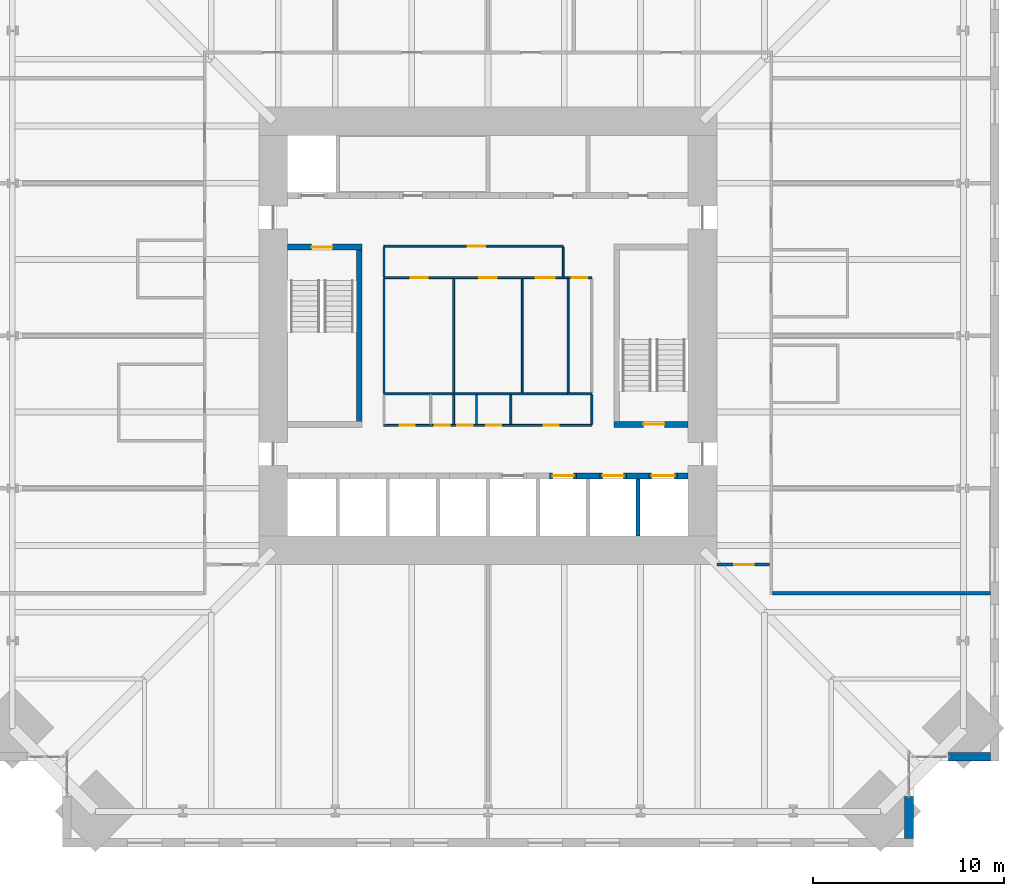
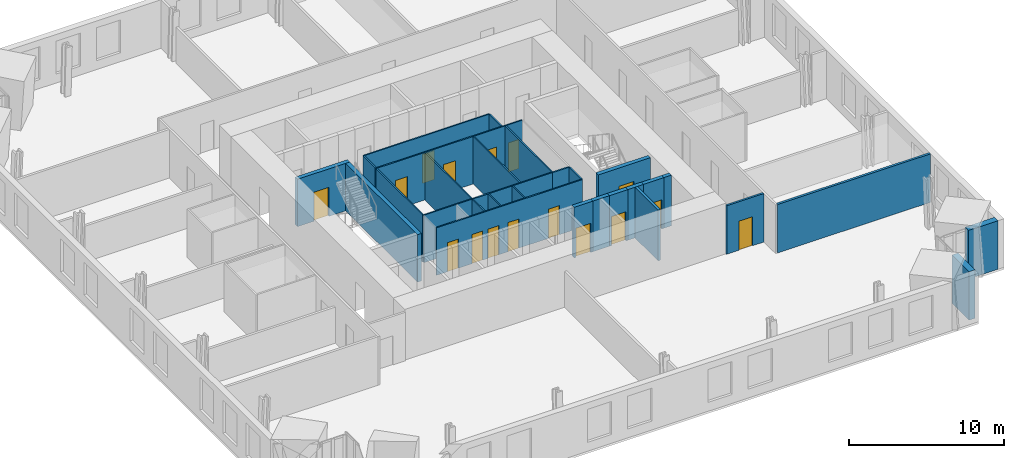
# One storey, part 13 of 17: 30 walls, 16 doors, 16 openings.
"""IFC4 building model written with IfcOpenShell, lengths in metres."""

import ifcopenshell
import ifcopenshell.guid

model = None  # the IFC model being written
_history = None  # IfcOwnerHistory: only IFC2X3 demands one
_inside = {}  # id of a spatial element -> (the spatial element, [elements in it])
_under = {}  # id of a project, library or spatial element -> (it, [spatial elements below it])
_declared = {}  # id of a project -> (the project, [libraries it declares])
_typed = {}  # id of a type object -> (the type object, [elements of that type])
_made_of = {}  # id of a material, layer set ... -> (it, [elements and type objects made of it])


def new_model(schema):
    """Start an empty IFC model of exactly this schema.

    Asked for "IFC4X3", IfcOpenShell would pick the latest addendum, in which some entities
    have other attributes; the version numbers below select the first issue.
    IFC2X3 requires an IfcOwnerHistory on every rooted entity: one is made here for all.
    """
    global model, _history
    if schema == "IFC4X3":
        model = ifcopenshell.file(schema_version=(4, 3, 0, 0))
    else:
        model = ifcopenshell.file(schema=schema)
    _inside.clear()
    _under.clear()
    _declared.clear()
    _typed.clear()
    _made_of.clear()
    _history = None
    if model.schema == "IFC2X3":
        org = make("IfcOrganization", Name="unknown")
        user = make(
            "IfcPersonAndOrganization",
            ThePerson=make("IfcPerson", FamilyName="unknown"),
            TheOrganization=org,
        )
        app = make(
            "IfcApplication",
            ApplicationDeveloper=org,
            Version="unknown",
            ApplicationFullName="unknown",
            ApplicationIdentifier="unknown",
        )
        _history = make(
            "IfcOwnerHistory",
            OwningUser=user,
            OwningApplication=app,
            ChangeAction="ADDED",
            CreationDate=0,
        )
    return model


def make(cls, **values):
    """One entity of the class cls with the attributes given. An attribute that is None is left unset."""
    return model.create_entity(
        cls, **{name: value for name, value in values.items() if value is not None}
    )


def rooted(cls, **values):
    """An entity with a GlobalId (a new one), such as an element, a storey or a relation."""
    return make(cls, GlobalId=ifcopenshell.guid.new(), OwnerHistory=_history, **values)


def si_unit(unit_type, name, prefix=None):
    """IfcSIUnit, for example si_unit("LENGTHUNIT", "METRE", prefix="MILLI")."""
    return make("IfcSIUnit", UnitType=unit_type, Prefix=prefix, Name=name)


def assignment(units):
    """IfcUnitAssignment: the units of a project."""
    return None if units is None else make("IfcUnitAssignment", Units=units)


def point(xyz):
    """IfcCartesianPoint."""
    return None if xyz is None else make("IfcCartesianPoint", Coordinates=xyz)


def direction(xyz):
    """IfcDirection."""
    return None if xyz is None else make("IfcDirection", DirectionRatios=xyz)


def frame(location, z_axis=None, x_axis=None):
    """IfcAxis2Placement3D, a coordinate frame: its origin and axes. An axis left out is left unset."""
    return make(
        "IfcAxis2Placement3D",
        Location=point(location),
        Axis=direction(z_axis),
        RefDirection=direction(x_axis),
    )


def frame_2d(location, x_axis=None):
    """IfcAxis2Placement2D, a coordinate frame in the plane: its origin and x axis."""
    return make(
        "IfcAxis2Placement2D", Location=point(location), RefDirection=direction(x_axis)
    )


def origin():
    """The frame at (0, 0, 0) with its axes left unset."""
    return frame((0.0, 0.0, 0.0))


def place(relative_to, where):
    """IfcLocalPlacement: puts the frame where relative to a parent placement (None: the world)."""
    return make(
        "IfcLocalPlacement", PlacementRelTo=relative_to, RelativePlacement=where
    )


def context(
    kind, dimensions, precision=None, world=None, true_north=None, identifier=None
):
    """IfcGeometricRepresentationContext, for example the 3D "Model" context."""
    return make(
        "IfcGeometricRepresentationContext",
        ContextIdentifier=identifier,
        ContextType=kind,
        CoordinateSpaceDimension=dimensions,
        Precision=precision,
        WorldCoordinateSystem=world,
        TrueNorth=true_north,
    )


def subcontext(parent, identifier, kind, view, scale=None):
    """IfcGeometricRepresentationSubContext, for example "Body" below "Model"."""
    return make(
        "IfcGeometricRepresentationSubContext",
        ContextIdentifier=identifier,
        ContextType=kind,
        ParentContext=parent,
        TargetScale=scale,
        TargetView=view,
    )


def project(units=None, contexts=None):
    """IfcProject with its units and contexts."""
    return rooted(
        "IfcProject",
        Name="project",
        RepresentationContexts=contexts,
        UnitsInContext=assignment(units),
    )


def spatial(cls, under=None, at=None, **own):
    """A site, building, storey or space (cls), placed at a placement, below another one or the project."""
    s = rooted(cls, ObjectPlacement=at, **own)
    if under is not None:
        _under.setdefault(under.id(), (under, []))[1].append(s)
    return s


def profile(cls, at=None, kind="AREA", **sizes):
    """A parametric profile (cls). Its sizes go by their IFC names, for example OverallWidth=200.0."""
    return make(cls, ProfileType=kind, Position=at, **sizes)


def rectangle(**sizes):
    """IfcRectangleProfileDef."""
    return profile("IfcRectangleProfileDef", **sizes)


def extrude(swept, where, along, depth):
    """IfcExtrudedAreaSolid: the profile swept, set in the frame where, extruded along a direction by depth."""
    return make(
        "IfcExtrudedAreaSolid",
        SweptArea=swept,
        Position=where,
        ExtrudedDirection=direction(along),
        Depth=depth,
    )


def shape(context_of_items, identifier, shape_type, items):
    """IfcShapeRepresentation: the items that make up one representation, for example the "Body"."""
    return make(
        "IfcShapeRepresentation",
        ContextOfItems=context_of_items,
        RepresentationIdentifier=identifier,
        RepresentationType=shape_type,
        Items=items,
    )


def material(Name=None, Category=None):
    """IfcMaterial."""
    return make("IfcMaterial", Name=Name, Category=Category)


def layer(
    of_material, thickness, ventilated=None, Name=None, Category=None, Priority=None
):
    """IfcMaterialLayer: one layer of a wall or slab, of a material (None: an air gap)."""
    return make(
        "IfcMaterialLayer",
        Material=of_material,
        LayerThickness=thickness,
        IsVentilated=ventilated,
        Name=Name,
        Category=Category,
        Priority=Priority,
    )


def layer_set(layers, Name=None):
    """IfcMaterialLayerSet."""
    return make("IfcMaterialLayerSet", MaterialLayers=layers, LayerSetName=Name)


def made_of(thing, what):
    """Note that an element or type object is made of a material, layer set ...; save() writes the relation."""
    if what is not None:
        _made_of.setdefault(what.id(), (what, []))[1].append(thing)
    return thing


def type_object(cls, material=None, **own):
    """A type object (cls), such as IfcWallType, which elements share."""
    return made_of(rooted(cls, **own), material)


def element(
    cls,
    number,
    at=None,
    inside=None,
    cuts=None,
    type_object=None,
    material=None,
    context=None,
    identifier="Body",
    shape_type=None,
    held_by="IfcProductDefinitionShape",
    body=None,
    shapes=None,
    **own,
):
    """One element of the class cls, such as IfcWall. Its Tag is "e" and its number.

    at: its placement. inside: the storey or other place that contains it. cuts: it is an
    opening in that element (IfcRelVoidsElement). A single representation is given by context,
    identifier, shape_type and body (its items); several are given by shapes. held_by: the class
    of the entity that holds the representations. save() writes the other relations.
    """
    e = rooted(cls, Tag="e%d" % number, ObjectPlacement=at, **own)
    if body is not None:
        shapes = [shape(context, identifier, shape_type, body)]
    if shapes is not None:
        e.Representation = make(held_by, Representations=shapes)
    if inside is not None:
        _inside.setdefault(inside.id(), (inside, []))[1].append(e)
    if cuts is not None:
        rooted(
            "IfcRelVoidsElement", RelatingBuildingElement=cuts, RelatedOpeningElement=e
        )
    if type_object is not None:
        _typed.setdefault(type_object.id(), (type_object, []))[1].append(e)
    return made_of(e, material)


def fill(opening, filler):
    """IfcRelFillsElement: the door or window that sits in an opening."""
    return rooted(
        "IfcRelFillsElement",
        RelatingOpeningElement=opening,
        RelatedBuildingElement=filler,
    )


def aggregate(whole, parts):
    """IfcRelAggregates: a whole, such as a stair, and the parts it consists of."""
    return rooted("IfcRelAggregates", RelatingObject=whole, RelatedObjects=parts)


def save(model, path):
    """Write the relations noted so far, then the file.

    IfcRelAggregates (storeys below a building ...), IfcRelContainedInSpatialStructure (elements
    in a storey), IfcRelDefinesByType, IfcRelAssociatesMaterial and IfcRelDeclares: one each for
    every whole, place, type object, material and project.
    """
    for whole, parts in _under.values():
        aggregate(whole, parts)
    for where, things in _inside.values():
        rooted(
            "IfcRelContainedInSpatialStructure",
            RelatedElements=things,
            RelatingStructure=where,
        )
    for kind, things in _typed.values():
        rooted("IfcRelDefinesByType", RelatedObjects=things, RelatingType=kind)
    for what, things in _made_of.values():
        rooted("IfcRelAssociatesMaterial", RelatedObjects=things, RelatingMaterial=what)
    for by, libraries in _declared.values():
        rooted("IfcRelDeclares", RelatingContext=by, RelatedDefinitions=libraries)
    model.write(path)


model = new_model("IFC4")

# Units and contexts
model_context = context("Model", 3, precision=1e-05, world=origin(), true_north=direction((0.0, 1.0)))
body_context = subcontext(model_context, "Body", "Model", "MODEL_VIEW")
ifc_project = project(units=[si_unit("LENGTHUNIT", "METRE"), si_unit("AREAUNIT", "SQUARE_METRE"), si_unit("VOLUMEUNIT", "CUBIC_METRE"), si_unit("PLANEANGLEUNIT", "RADIAN"), si_unit("MASSUNIT", "GRAM", prefix="KILO")], contexts=[model_context])

# Site, building, storey
site_placement = place(None, origin())
site = spatial("IfcSite", under=ifc_project, at=site_placement, CompositionType="ELEMENT")
building_placement = place(site_placement, origin())
building = spatial("IfcBuilding", under=site, at=building_placement, Name="Peilmerk Tower", CompositionType="ELEMENT")
storey_placement = place(building_placement, frame((0.0, 0.0, 147.800048828125)))
storey = spatial("IfcBuildingStorey", under=building, at=storey_placement, Name="L30", CompositionType="ELEMENT", Elevation=147.800048828125)

# Walls
ifc_material_1 = material(Name="Precast concrete C45/55, board-marked finish", Category="concrete")
ifc_layer_1 = layer(ifc_material_1, 0.449951171875)
ifc_layer_set_1 = layer_set([ifc_layer_1], Name="Precast concrete C45/55, board-marked finish")
wall_type_1 = type_object("IfcWallType", Name="EW1 450 precast concrete facade wall, board-marked", PredefinedType="SOLIDWALL", material=ifc_layer_set_1)
for number, where, z_axis, x_axis, name in (
    (1, (22.074951171875, -24.153564453125, 0.0), (0.0, 0.0, 1.0), (0.0, -1.0, 0.0), "Facade wall SEA L30"),
    (2, (24.153564453125, -22.074951171875, 0.0), (0.0, 0.0, 1.0), (1.0, 0.0, 0.0), "Facade wall SEB L30"),
):
    element("IfcWall", number, at=place(storey_placement, frame(where, z_axis=z_axis, x_axis=x_axis)), inside=storey, type_object=wall_type_1, Name=name, PredefinedType="SOLIDWALL", context=body_context, shape_type="SweptSolid", body=[
        extrude(rectangle(XDim=2.196533203125, YDim=0.449951171875, at=frame_2d((1.09814453125, 0.0))), origin(), (0.0, 0.0, 1.0), 3.829833984375),
    ])

# Wall, opening, door
ifc_material_2 = material(Name="Calcium silicate block", Category="masonry")
ifc_layer_2 = layer(ifc_material_2, 0.14990234375)
ifc_layer_set_2 = layer_set([ifc_layer_2], Name="Calcium silicate block")
wall_type_2 = type_object("IfcWallType", Name="IW1 150 corridor partition, EI 60", PredefinedType="PARTITIONING", material=ifc_layer_set_2)
wall_1_placement = place(storey_placement, frame((14.77490234375, -12.0, 0.0), z_axis=(0.0, 0.0, 1.0), x_axis=(-1.0, 0.0, 0.0)))
wall_1 = element("IfcWall", 3, at=wall_1_placement, inside=storey, type_object=wall_type_2, Name="Corridor wall SE L30", PredefinedType="PARTITIONING", context=body_context, shape_type="SweptSolid", body=[
    extrude(rectangle(XDim=2.77490234375, YDim=0.14990234375, at=frame_2d((1.387451171875, 0.0))), origin(), (0.0, 0.0, 1.0), 3.829833984375),
])
opening_1_placement = place(wall_1_placement, frame((0.85009765625, 0.0, 0.0)))
opening_1 = element("IfcOpeningElement", 4, at=opening_1_placement, cuts=wall_1, Name="Opening D1", PredefinedType="OPENING", context=body_context, shape_type="SweptSolid", body=[
    extrude(rectangle(XDim=1.0, YDim=2.300048828125, at=frame_2d((0.5, 1.14990234375))), frame((0.0, 0.0849609375, 0.0), z_axis=(0.0, -1.0, 0.0), x_axis=(1.0, 0.0, 0.0)), (0.0, 0.0, 1.0), 0.169921875),
])
ifc_material_3 = material(Name="Timber door in steel frame", Category="steel")
door_type_1 = type_object("IfcDoorType", Name="D1 1000x2300 room door, EI2 30", OperationType="SINGLE_SWING_LEFT", PredefinedType="DOOR", material=ifc_material_3)
door_1_placement = place(opening_1_placement, origin())
door_1 = element("IfcDoor", 5, at=door_1_placement, inside=storey, type_object=door_type_1, Name="Door Team workspace L30", OperationType="SINGLE_SWING_LEFT", OverallHeight=2.300048828125, OverallWidth=1.0, PredefinedType="DOOR", context=body_context, shape_type="SweptSolid", body=[
    extrude(rectangle(XDim=1.0, YDim=2.300048828125, at=frame_2d((0.5, 1.14990234375))), frame((0.0, 0.02490234375, 0.0), z_axis=(0.0, -1.0, 0.0), x_axis=(1.0, 0.0, 0.0)), (0.0, 0.0, 1.0), 0.050048828125),
])
fill(opening_1, door_1)

# Wall
ifc_material_4 = material(Name="Concrete C35/45", Category="concrete")
ifc_layer_3 = layer(ifc_material_4, 0.300048828125)
ifc_layer_set_3 = layer_set([ifc_layer_3], Name="Concrete C35/45")
wall_type_3 = type_object("IfcWallType", Name="IW3 300 concrete stair enclosure wall, EI 120", PredefinedType="SOLIDWALL", material=ifc_layer_set_3)
wall_2_placement = place(storey_placement, frame((-6.75, -4.800048828125, 0.0), z_axis=(0.0, 0.0, 1.0), x_axis=(0.0, 1.0, 0.0)))
element("IfcWall", 6, at=wall_2_placement, inside=storey, type_object=wall_type_3, Name="Stair 1 enclosure L30", PredefinedType="SOLIDWALL", context=body_context, shape_type="SweptSolid", body=[
    extrude(rectangle(XDim=9.60009765625, YDim=0.300048828125, at=frame_2d((4.800048828125, 0.0))), origin(), (0.0, 0.0, 1.0), 3.75),
])

# Wall, opening, door
wall_3_placement = place(storey_placement, frame((-10.5, 4.64990234375, 0.0), z_axis=(0.0, 0.0, 1.0), x_axis=(1.0, 0.0, 0.0)))
wall_3 = element("IfcWall", 7, at=wall_3_placement, inside=storey, type_object=wall_type_3, Name="Stair 1 enclosure L30", PredefinedType="SOLIDWALL", context=body_context, shape_type="SweptSolid", body=[
    extrude(rectangle(XDim=3.89990234375, YDim=0.300048828125, at=frame_2d((1.949951171875, 0.0))), origin(), (0.0, 0.0, 1.0), 3.75),
])
opening_2_placement = place(wall_3_placement, frame((1.25, 0.0, 0.0)))
opening_2 = element("IfcOpeningElement", 8, at=opening_2_placement, cuts=wall_3, Name="Opening D4", PredefinedType="OPENING", context=body_context, shape_type="SweptSolid", body=[
    extrude(rectangle(XDim=1.10009765625, YDim=2.300048828125, at=frame_2d((0.550048828125, 1.14990234375))), frame((0.0, 0.159912109375, 0.0), z_axis=(0.0, -1.0, 0.0), x_axis=(1.0, 0.0, 0.0)), (0.0, 0.0, 1.0), 0.320068359375),
])
ifc_material_5 = material(Name="Steel door in steel frame", Category="steel")
door_type_2 = type_object("IfcDoorType", Name="D4 1100x2300 stair door, EI2 60", OperationType="SINGLE_SWING_RIGHT", PredefinedType="DOOR", material=ifc_material_5)
door_2_placement = place(opening_2_placement, frame((1.10009765625, 0.0, 0.0), z_axis=(0.0, 0.0, 1.0), x_axis=(-1.0, 0.0, 0.0)))
door_2 = element("IfcDoor", 9, at=door_2_placement, inside=storey, type_object=door_type_2, Name="Stair 1 door L30", OperationType="SINGLE_SWING_RIGHT", OverallHeight=2.300048828125, OverallWidth=1.10009765625, PredefinedType="DOOR", context=body_context, shape_type="SweptSolid", body=[
    extrude(rectangle(XDim=1.10009765625, YDim=2.300048828125, at=frame_2d((0.550048828125, 1.14990234375))), frame((0.0, 0.02490234375, 0.0), z_axis=(0.0, -1.0, 0.0), x_axis=(1.0, 0.0, 0.0)), (0.0, 0.0, 1.0), 0.050048828125),
])
fill(opening_2, door_2)

wall_4_placement = place(storey_placement, frame((10.5, -4.64990234375, 0.0), z_axis=(0.0, 0.0, 1.0), x_axis=(-1.0, 0.0, 0.0)))
wall_4 = element("IfcWall", 10, at=wall_4_placement, inside=storey, type_object=wall_type_3, Name="Stair 2 enclosure L30", PredefinedType="SOLIDWALL", context=body_context, shape_type="SweptSolid", body=[
    extrude(rectangle(XDim=3.89990234375, YDim=0.300048828125, at=frame_2d((1.949951171875, 0.0))), origin(), (0.0, 0.0, 1.0), 3.75),
])
opening_3_placement = place(wall_4_placement, frame((1.25, 0.0, 0.0)))
opening_3 = element("IfcOpeningElement", 11, at=opening_3_placement, cuts=wall_4, Name="Opening D4", PredefinedType="OPENING", context=body_context, shape_type="SweptSolid", body=[
    extrude(rectangle(XDim=1.10009765625, YDim=2.300048828125, at=frame_2d((0.550048828125, 1.14990234375))), frame((0.0, 0.159912109375, 0.0), z_axis=(0.0, -1.0, 0.0), x_axis=(1.0, 0.0, 0.0)), (0.0, 0.0, 1.0), 0.320068359375),
])
door_3_placement = place(opening_3_placement, frame((1.10009765625, 0.0, 0.0), z_axis=(0.0, 0.0, 1.0), x_axis=(-1.0, 0.0, 0.0)))
door_3 = element("IfcDoor", 12, at=door_3_placement, inside=storey, type_object=door_type_2, Name="Stair 2 door L30", OperationType="SINGLE_SWING_RIGHT", OverallHeight=2.300048828125, OverallWidth=1.10009765625, PredefinedType="DOOR", context=body_context, shape_type="SweptSolid", body=[
    extrude(rectangle(XDim=1.10009765625, YDim=2.300048828125, at=frame_2d((0.550048828125, 1.14990234375))), frame((0.0, 0.02490234375, 0.0), z_axis=(0.0, -1.0, 0.0), x_axis=(1.0, 0.0, 0.0)), (0.0, 0.0, 1.0), 0.050048828125),
])
fill(opening_3, door_3)

# Wall, openings, doors
ifc_material_6 = material(Name="Plasterboard on steel studs", Category="steel")
ifc_layer_4 = layer(ifc_material_6, 0.10009765625)
ifc_layer_set_4 = layer_set([ifc_layer_4], Name="Plasterboard on steel studs")
wall_type_4 = type_object("IfcWallType", Name="IW4 100 WC partition", PredefinedType="PARTITIONING", material=ifc_layer_set_4)
wall_5_placement = place(storey_placement, frame((-5.449951171875, 3.050048828125, 0.0), z_axis=(0.0, 0.0, 1.0), x_axis=(1.0, 0.0, 0.0)))
wall_5 = element("IfcWall", 13, at=wall_5_placement, inside=storey, type_object=wall_type_4, Name="WC wall L30", PredefinedType="PARTITIONING", context=body_context, shape_type="SweptSolid", body=[
    extrude(rectangle(XDim=9.599853515625, YDim=0.10009765625, at=frame_2d((4.7998046875, 0.0))), origin(), (0.0, 0.0, 1.0), 3.75),
])
opening_4_placement = place(wall_5_placement, frame((1.39990234375, 0.0, 0.0)))
opening_4 = element("IfcOpeningElement", 14, at=opening_4_placement, cuts=wall_5, Name="Opening D5", PredefinedType="OPENING", context=body_context, shape_type="SweptSolid", body=[
    extrude(rectangle(XDim=0.89990234375, YDim=2.300048828125, at=frame_2d((0.449951171875, 1.14990234375))), frame((0.0, 0.06005859375, 0.0), z_axis=(0.0, -1.0, 0.0), x_axis=(1.0, 0.0, 0.0)), (0.0, 0.0, 1.0), 0.1201171875),
])
opening_5_placement = place(wall_5_placement, frame((5.0, 0.0, 0.0)))
opening_5 = element("IfcOpeningElement", 15, at=opening_5_placement, cuts=wall_5, Name="Opening D5", PredefinedType="OPENING", context=body_context, shape_type="SweptSolid", body=[
    extrude(rectangle(XDim=0.89990234375, YDim=2.300048828125, at=frame_2d((0.449951171875, 1.14990234375))), frame((0.0, 0.06005859375, 0.0), z_axis=(0.0, -1.0, 0.0), x_axis=(1.0, 0.0, 0.0)), (0.0, 0.0, 1.0), 0.1201171875),
])
opening_6_placement = place(wall_5_placement, frame((7.949951171875, 0.0, 0.0)))
opening_6 = element("IfcOpeningElement", 16, at=opening_6_placement, cuts=wall_5, Name="Opening D6", PredefinedType="OPENING", context=body_context, shape_type="SweptSolid", body=[
    extrude(rectangle(XDim=1.0, YDim=2.300048828125, at=frame_2d((0.5, 1.14990234375))), frame((0.0, 0.06005859375, 0.0), z_axis=(0.0, -1.0, 0.0), x_axis=(1.0, 0.0, 0.0)), (0.0, 0.0, 1.0), 0.1201171875),
])
door_type_3 = type_object("IfcDoorType", Name="D5 900x2300 WC door", OperationType="SINGLE_SWING_LEFT", PredefinedType="DOOR", material=ifc_material_3)
door_4_placement = place(opening_4_placement, frame((0.89990234375, 0.0, 0.0), z_axis=(0.0, 0.0, 1.0), x_axis=(-1.0, 0.0, 0.0)))
door_4 = element("IfcDoor", 17, at=door_4_placement, inside=storey, type_object=door_type_3, Name="Male toilets door L30", OperationType="SINGLE_SWING_LEFT", OverallHeight=2.300048828125, OverallWidth=0.89990234375, PredefinedType="DOOR", context=body_context, shape_type="SweptSolid", body=[
    extrude(rectangle(XDim=0.89990234375, YDim=2.300048828125, at=frame_2d((0.449951171875, 1.14990234375))), frame((0.0, 0.02490234375, 0.0), z_axis=(0.0, -1.0, 0.0), x_axis=(1.0, 0.0, 0.0)), (0.0, 0.0, 1.0), 0.050048828125),
])
fill(opening_4, door_4)
door_5_placement = place(opening_5_placement, frame((0.89990234375, 0.0, 0.0), z_axis=(0.0, 0.0, 1.0), x_axis=(-1.0, 0.0, 0.0)))
door_5 = element("IfcDoor", 18, at=door_5_placement, inside=storey, type_object=door_type_3, Name="Female toilets door L30", OperationType="SINGLE_SWING_LEFT", OverallHeight=2.300048828125, OverallWidth=0.89990234375, PredefinedType="DOOR", context=body_context, shape_type="SweptSolid", body=[
    extrude(rectangle(XDim=0.89990234375, YDim=2.300048828125, at=frame_2d((0.449951171875, 1.14990234375))), frame((0.0, 0.02490234375, 0.0), z_axis=(0.0, -1.0, 0.0), x_axis=(1.0, 0.0, 0.0)), (0.0, 0.0, 1.0), 0.050048828125),
])
fill(opening_5, door_5)
door_type_4 = type_object("IfcDoorType", Name="D6 1000x2300 accessible WC door", OperationType="SLIDING_TO_LEFT", PredefinedType="DOOR", material=ifc_material_3)
door_6_placement = place(opening_6_placement, frame((1.0, 0.0, 0.0), z_axis=(0.0, 0.0, 1.0), x_axis=(-1.0, 0.0, 0.0)))
door_6 = element("IfcDoor", 19, at=door_6_placement, inside=storey, type_object=door_type_4, Name="Accessible WC door L30", OperationType="SLIDING_TO_LEFT", OverallHeight=2.300048828125, OverallWidth=1.0, PredefinedType="DOOR", context=body_context, shape_type="SweptSolid", body=[
    extrude(rectangle(XDim=1.0, YDim=2.300048828125, at=frame_2d((0.5, 1.14990234375))), frame((0.0, 0.02490234375, 0.0), z_axis=(0.0, -1.0, 0.0), x_axis=(1.0, 0.0, 0.0)), (0.0, 0.0, 1.0), 0.050048828125),
])
fill(opening_6, door_6)

# Walls
wall_6_placement = place(storey_placement, frame((4.14990234375, -3.050048828125, 0.0), z_axis=(0.0, 0.0, 1.0), x_axis=(-1.0, 0.0, 0.0)))
element("IfcWall", 20, at=wall_6_placement, inside=storey, type_object=wall_type_4, Name="WC wall L30", PredefinedType="PARTITIONING", context=body_context, shape_type="SweptSolid", body=[
    extrude(rectangle(XDim=9.599853515625, YDim=0.10009765625, at=frame_2d((4.7998046875, 0.0))), origin(), (0.0, 0.0, 1.0), 3.75),
])
for number, where, z_axis, x_axis, name in (
    (21, (-5.449951171875, -3.0, 0.0), (0.0, 0.0, 1.0), (0.0, 1.0, 0.0), "WC wall L30"),
    (22, (-1.800048828125, -3.0, 0.0), (0.0, 0.0, 1.0), (0.0, 1.0, 0.0), "WC wall L30"),
    (23, (1.800048828125, -3.0, 0.0), (0.0, 0.0, 1.0), (0.0, 1.0, 0.0), "WC wall L30"),
):
    element("IfcWall", number, at=place(storey_placement, frame(where, z_axis=z_axis, x_axis=x_axis)), inside=storey, type_object=wall_type_4, Name=name, PredefinedType="PARTITIONING", context=body_context, shape_type="SweptSolid", body=[
        extrude(rectangle(XDim=6.0, YDim=0.10009765625, at=frame_2d((3.0, 0.0))), origin(), (0.0, 0.0, 1.0), 3.75),
    ])

# Wall, opening, door
ifc_material_7 = material(Name="Calcium silicate board on steel studs", Category="steel")
ifc_layer_5 = layer(ifc_material_7, 0.10009765625)
ifc_layer_set_5 = layer_set([ifc_layer_5], Name="Calcium silicate board on steel studs")
wall_type_5 = type_object("IfcWallType", Name="IW5 100 riser enclosure wall, EI 60", PredefinedType="PARTITIONING", material=ifc_layer_set_5)
wall_7_placement = place(storey_placement, frame((4.14990234375, 3.050048828125, 0.0), z_axis=(0.0, 0.0, 1.0), x_axis=(1.0, 0.0, 0.0)))
wall_7 = element("IfcWall", 24, at=wall_7_placement, inside=storey, type_object=wall_type_5, Name="Riser wall L30", PredefinedType="PARTITIONING", context=body_context, shape_type="SweptSolid", body=[
    extrude(rectangle(XDim=1.300048828125, YDim=0.10009765625, at=frame_2d((0.64990234375, 0.0))), origin(), (0.0, 0.0, 1.0), 3.75),
])
opening_7_placement = place(wall_7_placement, frame((0.25, 0.0, 0.0)))
opening_7 = element("IfcOpeningElement", 25, at=opening_7_placement, cuts=wall_7, Name="Opening D7", PredefinedType="OPENING", context=body_context, shape_type="SweptSolid", body=[
    extrude(rectangle(XDim=0.800048828125, YDim=2.300048828125, at=frame_2d((0.39990234375, 1.14990234375))), frame((0.0, 0.06005859375, 0.0), z_axis=(0.0, -1.0, 0.0), x_axis=(1.0, 0.0, 0.0)), (0.0, 0.0, 1.0), 0.1201171875),
])
door_type_5 = type_object("IfcDoorType", Name="D7 800x2300 riser access door, EI2 60", OperationType="SINGLE_SWING_RIGHT", PredefinedType="DOOR", material=ifc_material_5)
door_7_placement = place(opening_7_placement, frame((0.800048828125, 0.0, 0.0), z_axis=(0.0, 0.0, 1.0), x_axis=(-1.0, 0.0, 0.0)))
door_7 = element("IfcDoor", 26, at=door_7_placement, inside=storey, type_object=door_type_5, Name="Plumbing riser door L30", OperationType="SINGLE_SWING_RIGHT", OverallHeight=2.300048828125, OverallWidth=0.800048828125, PredefinedType="DOOR", context=body_context, shape_type="SweptSolid", body=[
    extrude(rectangle(XDim=0.800048828125, YDim=2.300048828125, at=frame_2d((0.39990234375, 1.14990234375))), frame((0.0, 0.02490234375, 0.0), z_axis=(0.0, -1.0, 0.0), x_axis=(1.0, 0.0, 0.0)), (0.0, 0.0, 1.0), 0.050048828125),
])
fill(opening_7, door_7)

# Walls
wall_8_placement = place(storey_placement, frame((5.449951171875, -3.050048828125, 0.0), z_axis=(0.0, 0.0, 1.0), x_axis=(-1.0, 0.0, 0.0)))
element("IfcWall", 27, at=wall_8_placement, inside=storey, type_object=wall_type_5, Name="Riser wall L30", PredefinedType="PARTITIONING", context=body_context, shape_type="SweptSolid", body=[
    extrude(rectangle(XDim=1.300048828125, YDim=0.10009765625, at=frame_2d((0.64990234375, 0.0))), origin(), (0.0, 0.0, 1.0), 3.75),
])
wall_9_placement = place(storey_placement, frame((4.199951171875, -3.0, 0.0), z_axis=(0.0, 0.0, 1.0), x_axis=(0.0, 1.0, 0.0)))
element("IfcWall", 28, at=wall_9_placement, inside=storey, type_object=wall_type_5, Name="Riser wall L30", PredefinedType="PARTITIONING", context=body_context, shape_type="SweptSolid", body=[
    extrude(rectangle(XDim=6.0, YDim=0.10009765625, at=frame_2d((3.0, 0.0))), origin(), (0.0, 0.0, 1.0), 3.75),
])

# Wall, openings, doors
wall_10_placement = place(storey_placement, frame((5.449951171875, -4.699951171875, 0.0), z_axis=(0.0, 0.0, 1.0), x_axis=(-1.0, 0.0, 0.0)))
wall_10 = element("IfcWall", 29, at=wall_10_placement, inside=storey, type_object=wall_type_5, Name="Riser wall L30", PredefinedType="PARTITIONING", context=body_context, shape_type="SweptSolid", body=[
    extrude(rectangle(XDim=10.89990234375, YDim=0.10009765625, at=frame_2d((5.449951171875, 0.0))), origin(), (0.0, 0.0, 1.0), 3.75),
])
opening_8_placement = place(wall_10_placement, frame((9.27490234375, 0.0, 0.0)))
opening_8 = element("IfcOpeningElement", 30, at=opening_8_placement, cuts=wall_10, Name="Opening D7", PredefinedType="OPENING", context=body_context, shape_type="SweptSolid", body=[
    extrude(rectangle(XDim=0.800048828125, YDim=2.300048828125, at=frame_2d((0.39990234375, 1.14990234375))), frame((0.0, 0.06005859375, 0.0), z_axis=(0.0, -1.0, 0.0), x_axis=(1.0, 0.0, 0.0)), (0.0, 0.0, 1.0), 0.1201171875),
])
opening_9_placement = place(wall_10_placement, frame((7.449951171875, 0.0, 0.0)))
opening_9 = element("IfcOpeningElement", 31, at=opening_9_placement, cuts=wall_10, Name="Opening D7", PredefinedType="OPENING", context=body_context, shape_type="SweptSolid", body=[
    extrude(rectangle(XDim=0.800048828125, YDim=2.300048828125, at=frame_2d((0.39990234375, 1.14990234375))), frame((0.0, 0.06005859375, 0.0), z_axis=(0.0, -1.0, 0.0), x_axis=(1.0, 0.0, 0.0)), (0.0, 0.0, 1.0), 0.1201171875),
])
opening_10_placement = place(wall_10_placement, frame((6.25, 0.0, 0.0)))
opening_10 = element("IfcOpeningElement", 32, at=opening_10_placement, cuts=wall_10, Name="Opening D7", PredefinedType="OPENING", context=body_context, shape_type="SweptSolid", body=[
    extrude(rectangle(XDim=0.800048828125, YDim=2.300048828125, at=frame_2d((0.39990234375, 1.14990234375))), frame((0.0, 0.06005859375, 0.0), z_axis=(0.0, -1.0, 0.0), x_axis=(1.0, 0.0, 0.0)), (0.0, 0.0, 1.0), 0.1201171875),
])
opening_11_placement = place(wall_10_placement, frame((4.75, 0.0, 0.0)))
opening_11 = element("IfcOpeningElement", 33, at=opening_11_placement, cuts=wall_10, Name="Opening D7", PredefinedType="OPENING", context=body_context, shape_type="SweptSolid", body=[
    extrude(rectangle(XDim=0.800048828125, YDim=2.300048828125, at=frame_2d((0.39990234375, 1.14990234375))), frame((0.0, 0.06005859375, 0.0), z_axis=(0.0, -1.0, 0.0), x_axis=(1.0, 0.0, 0.0)), (0.0, 0.0, 1.0), 0.1201171875),
])
opening_12_placement = place(wall_10_placement, frame((1.72509765625, 0.0, 0.0)))
opening_12 = element("IfcOpeningElement", 34, at=opening_12_placement, cuts=wall_10, Name="Opening D7", PredefinedType="OPENING", context=body_context, shape_type="SweptSolid", body=[
    extrude(rectangle(XDim=0.800048828125, YDim=2.300048828125, at=frame_2d((0.39990234375, 1.14990234375))), frame((0.0, 0.06005859375, 0.0), z_axis=(0.0, -1.0, 0.0), x_axis=(1.0, 0.0, 0.0)), (0.0, 0.0, 1.0), 0.1201171875),
])
door_8_placement = place(opening_8_placement, frame((0.800048828125, 0.0, 0.0), z_axis=(0.0, 0.0, 1.0), x_axis=(-1.0, 0.0, 0.0)))
door_8 = element("IfcDoor", 35, at=door_8_placement, inside=storey, type_object=door_type_5, Name="Electrical room door L30", OperationType="SINGLE_SWING_RIGHT", OverallHeight=2.300048828125, OverallWidth=0.800048828125, PredefinedType="DOOR", context=body_context, shape_type="SweptSolid", body=[
    extrude(rectangle(XDim=0.800048828125, YDim=2.300048828125, at=frame_2d((0.39990234375, 1.14990234375))), frame((0.0, 0.02490234375, 0.0), z_axis=(0.0, -1.0, 0.0), x_axis=(1.0, 0.0, 0.0)), (0.0, 0.0, 1.0), 0.050048828125),
])
fill(opening_8, door_8)
door_9_placement = place(opening_9_placement, frame((0.800048828125, 0.0, 0.0), z_axis=(0.0, 0.0, 1.0), x_axis=(-1.0, 0.0, 0.0)))
door_9 = element("IfcDoor", 36, at=door_9_placement, inside=storey, type_object=door_type_5, Name="Electrical riser door L30", OperationType="SINGLE_SWING_RIGHT", OverallHeight=2.300048828125, OverallWidth=0.800048828125, PredefinedType="DOOR", context=body_context, shape_type="SweptSolid", body=[
    extrude(rectangle(XDim=0.800048828125, YDim=2.300048828125, at=frame_2d((0.39990234375, 1.14990234375))), frame((0.0, 0.02490234375, 0.0), z_axis=(0.0, -1.0, 0.0), x_axis=(1.0, 0.0, 0.0)), (0.0, 0.0, 1.0), 0.050048828125),
])
fill(opening_9, door_9)
door_10_placement = place(opening_10_placement, frame((0.800048828125, 0.0, 0.0), z_axis=(0.0, 0.0, 1.0), x_axis=(-1.0, 0.0, 0.0)))
door_10 = element("IfcDoor", 37, at=door_10_placement, inside=storey, type_object=door_type_5, Name="Data riser door L30", OperationType="SINGLE_SWING_RIGHT", OverallHeight=2.300048828125, OverallWidth=0.800048828125, PredefinedType="DOOR", context=body_context, shape_type="SweptSolid", body=[
    extrude(rectangle(XDim=0.800048828125, YDim=2.300048828125, at=frame_2d((0.39990234375, 1.14990234375))), frame((0.0, 0.02490234375, 0.0), z_axis=(0.0, -1.0, 0.0), x_axis=(1.0, 0.0, 0.0)), (0.0, 0.0, 1.0), 0.050048828125),
])
fill(opening_10, door_10)
door_11_placement = place(opening_11_placement, frame((0.800048828125, 0.0, 0.0), z_axis=(0.0, 0.0, 1.0), x_axis=(-1.0, 0.0, 0.0)))
door_11 = element("IfcDoor", 38, at=door_11_placement, inside=storey, type_object=door_type_5, Name="Cleaner's cupboard door L30", OperationType="SINGLE_SWING_RIGHT", OverallHeight=2.300048828125, OverallWidth=0.800048828125, PredefinedType="DOOR", context=body_context, shape_type="SweptSolid", body=[
    extrude(rectangle(XDim=0.800048828125, YDim=2.300048828125, at=frame_2d((0.39990234375, 1.14990234375))), frame((0.0, 0.02490234375, 0.0), z_axis=(0.0, -1.0, 0.0), x_axis=(1.0, 0.0, 0.0)), (0.0, 0.0, 1.0), 0.050048828125),
])
fill(opening_11, door_11)
door_12_placement = place(opening_12_placement, frame((0.800048828125, 0.0, 0.0), z_axis=(0.0, 0.0, 1.0), x_axis=(-1.0, 0.0, 0.0)))
door_12 = element("IfcDoor", 39, at=door_12_placement, inside=storey, type_object=door_type_5, Name="Comms room door L30", OperationType="SINGLE_SWING_RIGHT", OverallHeight=2.300048828125, OverallWidth=0.800048828125, PredefinedType="DOOR", context=body_context, shape_type="SweptSolid", body=[
    extrude(rectangle(XDim=0.800048828125, YDim=2.300048828125, at=frame_2d((0.39990234375, 1.14990234375))), frame((0.0, 0.02490234375, 0.0), z_axis=(0.0, -1.0, 0.0), x_axis=(1.0, 0.0, 0.0)), (0.0, 0.0, 1.0), 0.050048828125),
])
fill(opening_12, door_12)

# Walls
for number, where, z_axis, x_axis, name in (
    (40, (5.449951171875, -3.10009765625, 0.0), (0.0, 0.0, 1.0), (0.0, -1.0, 0.0), "Riser wall L30"),
    (41, (-1.800048828125, -3.10009765625, 0.0), (0.0, 0.0, 1.0), (0.0, -1.0, 0.0), "Riser wall L30"),
    (42, (-0.60009765625, -3.10009765625, 0.0), (0.0, 0.0, 1.0), (0.0, -1.0, 0.0), "Riser wall L30"),
    (43, (1.199951171875, -3.10009765625, 0.0), (0.0, 0.0, 1.0), (0.0, -1.0, 0.0), "Riser wall L30"),
):
    element("IfcWall", number, at=place(storey_placement, frame(where, z_axis=z_axis, x_axis=x_axis)), inside=storey, type_object=wall_type_5, Name=name, PredefinedType="PARTITIONING", context=body_context, shape_type="SweptSolid", body=[
        extrude(rectangle(XDim=1.5498046875, YDim=0.10009765625, at=frame_2d((0.77490234375, 0.0))), origin(), (0.0, 0.0, 1.0), 3.75),
    ])
ifc_layer_6 = layer(ifc_material_2, 0.175048828125)
ifc_layer_set_6 = layer_set([ifc_layer_6], Name="Calcium silicate block")
wall_type_6 = type_object("IfcWallType", Name="IW8 175 tenant separating wall, EI 60", PredefinedType="PARTITIONING", material=ifc_layer_set_6)
wall_11_placement = place(storey_placement, frame((26.35009765625, -13.5, 0.0), z_axis=(0.0, 0.0, 1.0), x_axis=(-1.0, 0.0, 0.0)))
element("IfcWall", 44, at=wall_11_placement, inside=storey, type_object=wall_type_6, Name="Tenant separating wall SE L30", PredefinedType="PARTITIONING", context=body_context, shape_type="SweptSolid", body=[
    extrude(rectangle(XDim=11.425048828125, YDim=0.175048828125, at=frame_2d((5.71240234375, 0.0))), origin(), (0.0, 0.0, 1.0), 3.829833984375),
])

# Wall, opening, door
ifc_material_8 = material(Name="Fire-resisting plasterboard on steel studs", Category="steel")
ifc_layer_7 = layer(ifc_material_8, 0.10009765625)
ifc_layer_set_7 = layer_set([ifc_layer_7], Name="Fire-resisting plasterboard on steel studs")
wall_type_7 = type_object("IfcWallType", Name="IW9 100 WC lobby wall, EI 30", PredefinedType="PARTITIONING", material=ifc_layer_set_7)
wall_12_placement = place(storey_placement, frame((-5.449951171875, 4.699951171875, 0.0), z_axis=(0.0, 0.0, 1.0), x_axis=(1.0, 0.0, 0.0)))
wall_12 = element("IfcWall", 45, at=wall_12_placement, inside=storey, type_object=wall_type_7, Name="WC lobby wall L30", PredefinedType="PARTITIONING", context=body_context, shape_type="SweptSolid", body=[
    extrude(rectangle(XDim=9.39990234375, YDim=0.10009765625, at=frame_2d((4.699951171875, 0.0))), origin(), (0.0, 0.0, 1.0), 3.75),
])
opening_13_placement = place(wall_12_placement, frame((4.39990234375, 0.0, 0.0)))
opening_13 = element("IfcOpeningElement", 46, at=opening_13_placement, cuts=wall_12, Name="Opening D11", PredefinedType="OPENING", context=body_context, shape_type="SweptSolid", body=[
    extrude(rectangle(XDim=0.89990234375, YDim=2.300048828125, at=frame_2d((0.449951171875, 1.14990234375))), frame((0.0, 0.06005859375, 0.0), z_axis=(0.0, -1.0, 0.0), x_axis=(1.0, 0.0, 0.0)), (0.0, 0.0, 1.0), 0.1201171875),
])
door_type_6 = type_object("IfcDoorType", Name="D11 900x2300 WC lobby door, EI2 30", OperationType="SINGLE_SWING_LEFT", PredefinedType="DOOR", material=ifc_material_3)
door_13_placement = place(opening_13_placement, frame((0.89990234375, 0.0, 0.0), z_axis=(0.0, 0.0, 1.0), x_axis=(-1.0, 0.0, 0.0)))
door_13 = element("IfcDoor", 47, at=door_13_placement, inside=storey, type_object=door_type_6, Name="WC lobby door L30", OperationType="SINGLE_SWING_LEFT", OverallHeight=2.300048828125, OverallWidth=0.89990234375, PredefinedType="DOOR", context=body_context, shape_type="SweptSolid", body=[
    extrude(rectangle(XDim=0.89990234375, YDim=2.300048828125, at=frame_2d((0.449951171875, 1.14990234375))), frame((0.0, 0.02490234375, 0.0), z_axis=(0.0, -1.0, 0.0), x_axis=(1.0, 0.0, 0.0)), (0.0, 0.0, 1.0), 0.050048828125),
])
fill(opening_13, door_13)

# Walls
for number, where, z_axis, x_axis, name in (
    (48, (-5.449951171875, 3.10009765625, 0.0), (0.0, 0.0, 1.0), (0.0, 1.0, 0.0), "WC lobby wall L30"),
    (49, (3.949951171875, 3.10009765625, 0.0), (0.0, 0.0, 1.0), (0.0, 1.0, 0.0), "WC lobby wall L30"),
):
    element("IfcWall", number, at=place(storey_placement, frame(where, z_axis=z_axis, x_axis=x_axis)), inside=storey, type_object=wall_type_7, Name=name, PredefinedType="PARTITIONING", context=body_context, shape_type="SweptSolid", body=[
        extrude(rectangle(XDim=1.5498046875, YDim=0.10009765625, at=frame_2d((0.77490234375, 0.0))), origin(), (0.0, 0.0, 1.0), 3.75),
    ])
ifc_layer_8 = layer(ifc_material_2, 0.199951171875)
ifc_layer_set_8 = layer_set([ifc_layer_8], Name="Calcium silicate block")
wall_type_8 = type_object("IfcWallType", Name="SH1 200 shaft dividing wall, EI 120", PredefinedType="PARTITIONING", material=ifc_layer_set_8)
wall_13_placement = place(storey_placement, frame((7.875, -10.5, 0.0), z_axis=(0.0, 0.0, 1.0), x_axis=(0.0, 1.0, 0.0)))
element("IfcWall", 50, at=wall_13_placement, inside=storey, type_object=wall_type_8, Name="Shaft wall S B1 L30", PredefinedType="PARTITIONING", context=body_context, shape_type="SweptSolid", body=[
    extrude(rectangle(XDim=3.0, YDim=0.199951171875, at=frame_2d((1.5, 0.0))), origin(), (0.0, 0.0, 1.0), 4.0),
])

# Wall, opening, door
ifc_layer_9 = layer(ifc_material_2, 0.300048828125)
ifc_layer_set_9 = layer_set([ifc_layer_9], Name="Calcium silicate block")
wall_type_9 = type_object("IfcWallType", Name="SH2 300 lift landing door panel, EI 120", PredefinedType="PARTITIONING", material=ifc_layer_set_9)
wall_14_placement = place(storey_placement, frame((3.237548828125, -7.35009765625, 0.0), z_axis=(0.0, 0.0, 1.0), x_axis=(1.0, 0.0, 0.0)))
wall_14 = element("IfcWall", 51, at=wall_14_placement, inside=storey, type_object=wall_type_9, Name="Lift door panel S B2 L30", PredefinedType="PARTITIONING", context=body_context, shape_type="SweptSolid", body=[
    extrude(rectangle(XDim=1.39990234375, YDim=0.300048828125, at=frame_2d((0.699951171875, 0.0))), origin(), (0.0, 0.0, 1.0), 4.0),
])
opening_14_placement = place(wall_14_placement, frame((0.14990234375, 0.0, 0.0)))
opening_14 = element("IfcOpeningElement", 52, at=opening_14_placement, cuts=wall_14, Name="Opening LD1", PredefinedType="OPENING", context=body_context, shape_type="SweptSolid", body=[
    extrude(rectangle(XDim=1.10009765625, YDim=2.300048828125, at=frame_2d((0.550048828125, 1.14990234375))), frame((0.0, 0.159912109375, 0.0), z_axis=(0.0, -1.0, 0.0), x_axis=(1.0, 0.0, 0.0)), (0.0, 0.0, 1.0), 0.320068359375),
])
ifc_material_9 = material(Name="Stainless steel landing door", Category="steel")
door_type_7 = type_object("IfcDoorType", Name="LD1 1100x2300 lift landing door, sliding, EI2 60", OperationType="SLIDING_TO_LEFT", PredefinedType="DOOR", material=ifc_material_9)
door_14_placement = place(opening_14_placement, origin())
door_14 = element("IfcDoor", 53, at=door_14_placement, inside=storey, type_object=door_type_7, Name="Lift landing door B2 L30", OperationType="SLIDING_TO_LEFT", OverallHeight=2.300048828125, OverallWidth=1.10009765625, PredefinedType="DOOR", context=body_context, shape_type="SweptSolid", body=[
    extrude(rectangle(XDim=1.10009765625, YDim=2.300048828125, at=frame_2d((0.550048828125, 1.14990234375))), frame((0.0, 0.02490234375, 0.0), z_axis=(0.0, -1.0, 0.0), x_axis=(1.0, 0.0, 0.0)), (0.0, 0.0, 1.0), 0.050048828125),
])
fill(opening_14, door_14)

wall_15_placement = place(storey_placement, frame((5.862548828125, -7.35009765625, 0.0), z_axis=(0.0, 0.0, 1.0), x_axis=(1.0, 0.0, 0.0)))
wall_15 = element("IfcWall", 54, at=wall_15_placement, inside=storey, type_object=wall_type_9, Name="Lift door panel S B1 L30", PredefinedType="PARTITIONING", context=body_context, shape_type="SweptSolid", body=[
    extrude(rectangle(XDim=1.39990234375, YDim=0.300048828125, at=frame_2d((0.699951171875, 0.0))), origin(), (0.0, 0.0, 1.0), 4.0),
])
opening_15_placement = place(wall_15_placement, frame((0.14990234375, 0.0, 0.0)))
opening_15 = element("IfcOpeningElement", 55, at=opening_15_placement, cuts=wall_15, Name="Opening LD1", PredefinedType="OPENING", context=body_context, shape_type="SweptSolid", body=[
    extrude(rectangle(XDim=1.10009765625, YDim=2.300048828125, at=frame_2d((0.550048828125, 1.14990234375))), frame((0.0, 0.159912109375, 0.0), z_axis=(0.0, -1.0, 0.0), x_axis=(1.0, 0.0, 0.0)), (0.0, 0.0, 1.0), 0.320068359375),
])
door_15_placement = place(opening_15_placement, origin())
door_15 = element("IfcDoor", 56, at=door_15_placement, inside=storey, type_object=door_type_7, Name="Lift landing door B1 L30", OperationType="SLIDING_TO_LEFT", OverallHeight=2.300048828125, OverallWidth=1.10009765625, PredefinedType="DOOR", context=body_context, shape_type="SweptSolid", body=[
    extrude(rectangle(XDim=1.10009765625, YDim=2.300048828125, at=frame_2d((0.550048828125, 1.14990234375))), frame((0.0, 0.02490234375, 0.0), z_axis=(0.0, -1.0, 0.0), x_axis=(1.0, 0.0, 0.0)), (0.0, 0.0, 1.0), 0.050048828125),
])
fill(opening_15, door_15)

wall_16_placement = place(storey_placement, frame((8.4375, -7.35009765625, 0.0), z_axis=(0.0, 0.0, 1.0), x_axis=(1.0, 0.0, 0.0)))
wall_16 = element("IfcWall", 57, at=wall_16_placement, inside=storey, type_object=wall_type_9, Name="Lift door panel S FL2 L30", PredefinedType="PARTITIONING", context=body_context, shape_type="SweptSolid", body=[
    extrude(rectangle(XDim=1.5, YDim=0.300048828125, at=frame_2d((0.75, 0.0))), origin(), (0.0, 0.0, 1.0), 4.0),
])
opening_16_placement = place(wall_16_placement, frame((0.14990234375, 0.0, 0.0)))
opening_16 = element("IfcOpeningElement", 58, at=opening_16_placement, cuts=wall_16, Name="Opening LD2", PredefinedType="OPENING", context=body_context, shape_type="SweptSolid", body=[
    extrude(rectangle(XDim=1.199951171875, YDim=2.300048828125, at=frame_2d((0.60009765625, 1.14990234375))), frame((0.0, 0.159912109375, 0.0), z_axis=(0.0, -1.0, 0.0), x_axis=(1.0, 0.0, 0.0)), (0.0, 0.0, 1.0), 0.320068359375),
])
door_type_8 = type_object("IfcDoorType", Name="LD2 1200x2300 lift landing door, sliding, EI2 60", OperationType="SLIDING_TO_LEFT", PredefinedType="DOOR", material=ifc_material_9)
door_16_placement = place(opening_16_placement, origin())
door_16 = element("IfcDoor", 59, at=door_16_placement, inside=storey, type_object=door_type_8, Name="Lift landing door FL2 L30", OperationType="SLIDING_TO_LEFT", OverallHeight=2.300048828125, OverallWidth=1.199951171875, PredefinedType="DOOR", context=body_context, shape_type="SweptSolid", body=[
    extrude(rectangle(XDim=1.199951171875, YDim=2.300048828125, at=frame_2d((0.60009765625, 1.14990234375))), frame((0.0, 0.02490234375, 0.0), z_axis=(0.0, -1.0, 0.0), x_axis=(1.0, 0.0, 0.0)), (0.0, 0.0, 1.0), 0.050048828125),
])
fill(opening_16, door_16)

# Walls
ifc_material_10 = material(Name="Concrete C55/67", Category="concrete")
ifc_layer_10 = layer(ifc_material_10, 0.300048828125)
ifc_layer_set_10 = layer_set([ifc_layer_10], Name="Concrete C55/67")
wall_type_10 = type_object("IfcWallType", Name="SW2 300 lift bank pier", PredefinedType="SHEAR", material=ifc_layer_set_10)
wall_17_placement = place(storey_placement, frame((4.637451171875, -7.35009765625, 0.0), z_axis=(0.0, 0.0, 1.0), x_axis=(1.0, 0.0, 0.0)))
element("IfcWall", 60, at=wall_17_placement, inside=storey, type_object=wall_type_10, Name="Lift bank pier S L30", PredefinedType="SHEAR", context=body_context, shape_type="SweptSolid", body=[
    extrude(rectangle(XDim=1.22509765625, YDim=0.300048828125, at=frame_2d((0.612548828125, 0.0))), origin(), (0.0, 0.0, 1.0), 4.0),
])
wall_18_placement = place(storey_placement, frame((7.262451171875, -7.35009765625, 0.0), z_axis=(0.0, 0.0, 1.0), x_axis=(1.0, 0.0, 0.0)))
element("IfcWall", 61, at=wall_18_placement, inside=storey, type_object=wall_type_10, Name="Lift bank pier S L30", PredefinedType="SHEAR", context=body_context, shape_type="SweptSolid", body=[
    extrude(rectangle(XDim=1.175048828125, YDim=0.300048828125, at=frame_2d((0.58740234375, 0.0))), origin(), (0.0, 0.0, 1.0), 4.0),
])
wall_19_placement = place(storey_placement, frame((9.9375, -7.35009765625, 0.0), z_axis=(0.0, 0.0, 1.0), x_axis=(1.0, 0.0, 0.0)))
element("IfcWall", 62, at=wall_19_placement, inside=storey, type_object=wall_type_10, Name="Lift bank pier S L30", PredefinedType="SHEAR", context=body_context, shape_type="SweptSolid", body=[
    extrude(rectangle(XDim=0.5625, YDim=0.300048828125, at=frame_2d((0.28125, 0.0))), origin(), (0.0, 0.0, 1.0), 4.0),
])

save(model, "model.ifc")
